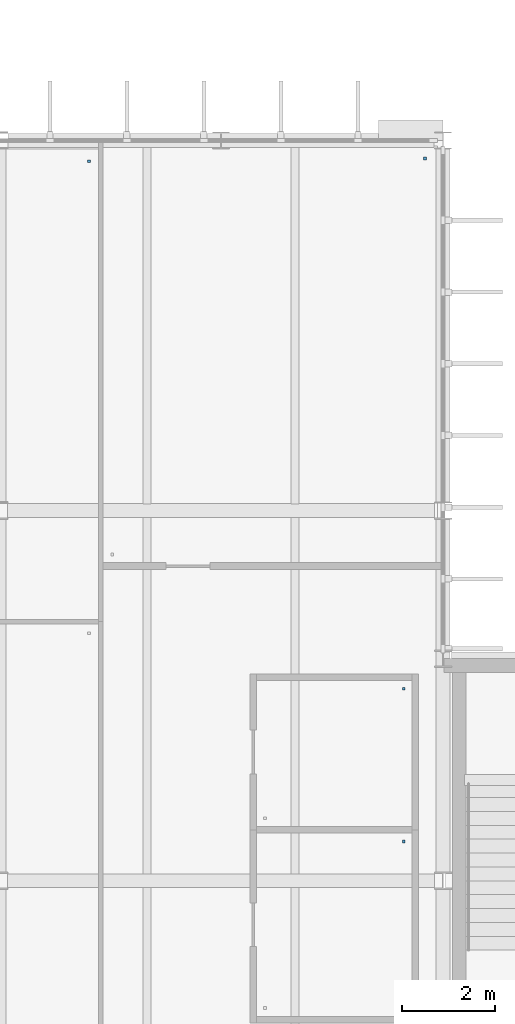
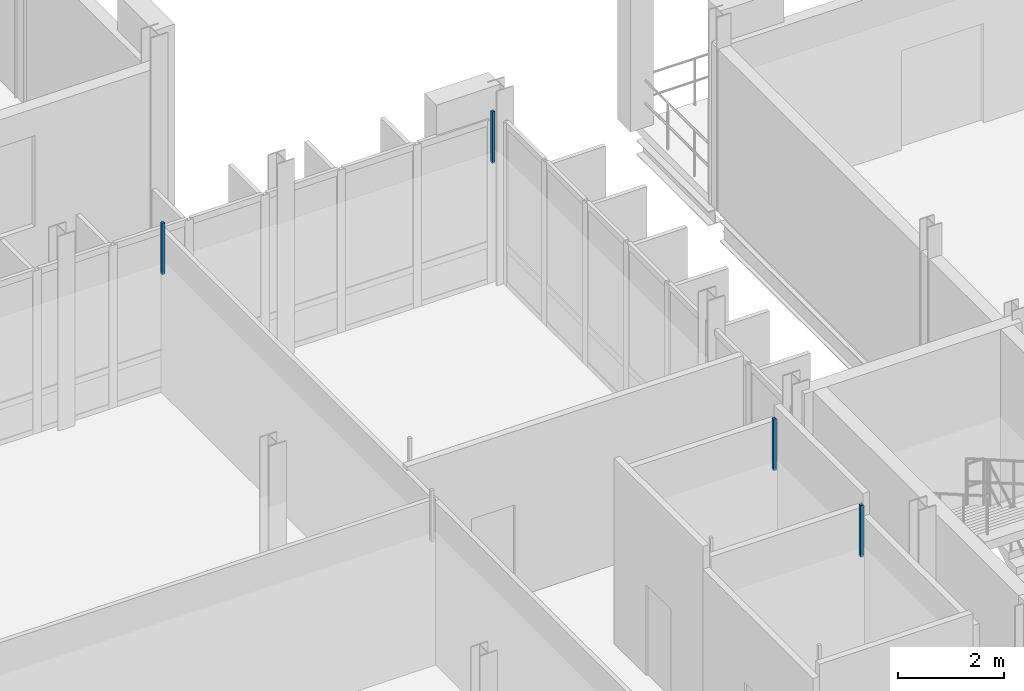
# One storey, part 73 of 107: 4 discrete accessories.
"""IFC4 building model written with IfcOpenShell, lengths in metres."""

import ifcopenshell
import ifcopenshell.guid

model = None  # the IFC model being written
_history = None  # IfcOwnerHistory: only IFC2X3 demands one
_inside = {}  # id of a spatial element -> (the spatial element, [elements in it])
_under = {}  # id of a project, library or spatial element -> (it, [spatial elements below it])
_declared = {}  # id of a project -> (the project, [libraries it declares])
_typed = {}  # id of a type object -> (the type object, [elements of that type])
_made_of = {}  # id of a material, layer set ... -> (it, [elements and type objects made of it])


def new_model(schema):
    """Start an empty IFC model of exactly this schema.

    Asked for "IFC4X3", IfcOpenShell would pick the latest addendum, in which some entities
    have other attributes; the version numbers below select the first issue.
    IFC2X3 requires an IfcOwnerHistory on every rooted entity: one is made here for all.
    """
    global model, _history
    if schema == "IFC4X3":
        model = ifcopenshell.file(schema_version=(4, 3, 0, 0))
    else:
        model = ifcopenshell.file(schema=schema)
    _inside.clear()
    _under.clear()
    _declared.clear()
    _typed.clear()
    _made_of.clear()
    _history = None
    if model.schema == "IFC2X3":
        org = make("IfcOrganization", Name="unknown")
        user = make(
            "IfcPersonAndOrganization",
            ThePerson=make("IfcPerson", FamilyName="unknown"),
            TheOrganization=org,
        )
        app = make(
            "IfcApplication",
            ApplicationDeveloper=org,
            Version="unknown",
            ApplicationFullName="unknown",
            ApplicationIdentifier="unknown",
        )
        _history = make(
            "IfcOwnerHistory",
            OwningUser=user,
            OwningApplication=app,
            ChangeAction="ADDED",
            CreationDate=0,
        )
    return model


def make(cls, **values):
    """One entity of the class cls with the attributes given. An attribute that is None is left unset."""
    return model.create_entity(
        cls, **{name: value for name, value in values.items() if value is not None}
    )


def rooted(cls, **values):
    """An entity with a GlobalId (a new one), such as an element, a storey or a relation."""
    return make(cls, GlobalId=ifcopenshell.guid.new(), OwnerHistory=_history, **values)


def si_unit(unit_type, name, prefix=None):
    """IfcSIUnit, for example si_unit("LENGTHUNIT", "METRE", prefix="MILLI")."""
    return make("IfcSIUnit", UnitType=unit_type, Prefix=prefix, Name=name)


def assignment(units):
    """IfcUnitAssignment: the units of a project."""
    return None if units is None else make("IfcUnitAssignment", Units=units)


def point(xyz):
    """IfcCartesianPoint."""
    return None if xyz is None else make("IfcCartesianPoint", Coordinates=xyz)


def direction(xyz):
    """IfcDirection."""
    return None if xyz is None else make("IfcDirection", DirectionRatios=xyz)


def frame(location, z_axis=None, x_axis=None):
    """IfcAxis2Placement3D, a coordinate frame: its origin and axes. An axis left out is left unset."""
    return make(
        "IfcAxis2Placement3D",
        Location=point(location),
        Axis=direction(z_axis),
        RefDirection=direction(x_axis),
    )


def origin():
    """The frame at (0, 0, 0) with its axes left unset."""
    return frame((0.0, 0.0, 0.0))


def place(relative_to, where):
    """IfcLocalPlacement: puts the frame where relative to a parent placement (None: the world)."""
    return make(
        "IfcLocalPlacement", PlacementRelTo=relative_to, RelativePlacement=where
    )


def context(
    kind, dimensions, precision=None, world=None, true_north=None, identifier=None
):
    """IfcGeometricRepresentationContext, for example the 3D "Model" context."""
    return make(
        "IfcGeometricRepresentationContext",
        ContextIdentifier=identifier,
        ContextType=kind,
        CoordinateSpaceDimension=dimensions,
        Precision=precision,
        WorldCoordinateSystem=world,
        TrueNorth=true_north,
    )


def subcontext(parent, identifier, kind, view, scale=None):
    """IfcGeometricRepresentationSubContext, for example "Body" below "Model"."""
    return make(
        "IfcGeometricRepresentationSubContext",
        ContextIdentifier=identifier,
        ContextType=kind,
        ParentContext=parent,
        TargetScale=scale,
        TargetView=view,
    )


def project(units=None, contexts=None):
    """IfcProject with its units and contexts."""
    return rooted(
        "IfcProject",
        Name="project",
        RepresentationContexts=contexts,
        UnitsInContext=assignment(units),
    )


def spatial(cls, under=None, at=None, **own):
    """A site, building, storey or space (cls), placed at a placement, below another one or the project."""
    s = rooted(cls, ObjectPlacement=at, **own)
    if under is not None:
        _under.setdefault(under.id(), (under, []))[1].append(s)
    return s


def polyline(points):
    """IfcPolyline through the points."""
    return make("IfcPolyline", Points=[point(p) for p in points])


def outline(outer, holes=None, kind="AREA"):
    """IfcArbitraryClosedProfileDef: a profile drawn as a closed curve; with holes, ...WithVoids."""
    if holes is None:
        return make("IfcArbitraryClosedProfileDef", ProfileType=kind, OuterCurve=outer)
    return make(
        "IfcArbitraryProfileDefWithVoids",
        ProfileType=kind,
        OuterCurve=outer,
        InnerCurves=holes,
    )


def extrude(swept, where, along, depth):
    """IfcExtrudedAreaSolid: the profile swept, set in the frame where, extruded along a direction by depth."""
    return make(
        "IfcExtrudedAreaSolid",
        SweptArea=swept,
        Position=where,
        ExtrudedDirection=direction(along),
        Depth=depth,
    )


def shape(context_of_items, identifier, shape_type, items):
    """IfcShapeRepresentation: the items that make up one representation, for example the "Body"."""
    return make(
        "IfcShapeRepresentation",
        ContextOfItems=context_of_items,
        RepresentationIdentifier=identifier,
        RepresentationType=shape_type,
        Items=items,
    )


def material(Name=None, Category=None):
    """IfcMaterial."""
    return make("IfcMaterial", Name=Name, Category=Category)


def made_of(thing, what):
    """Note that an element or type object is made of a material, layer set ...; save() writes the relation."""
    if what is not None:
        _made_of.setdefault(what.id(), (what, []))[1].append(thing)
    return thing


def type_object(cls, material=None, **own):
    """A type object (cls), such as IfcWallType, which elements share."""
    return made_of(rooted(cls, **own), material)


def element(
    cls,
    number,
    at=None,
    inside=None,
    cuts=None,
    type_object=None,
    material=None,
    context=None,
    identifier="Body",
    shape_type=None,
    held_by="IfcProductDefinitionShape",
    body=None,
    shapes=None,
    **own,
):
    """One element of the class cls, such as IfcWall. Its Tag is "e" and its number.

    at: its placement. inside: the storey or other place that contains it. cuts: it is an
    opening in that element (IfcRelVoidsElement). A single representation is given by context,
    identifier, shape_type and body (its items); several are given by shapes. held_by: the class
    of the entity that holds the representations. save() writes the other relations.
    """
    e = rooted(cls, Tag="e%d" % number, ObjectPlacement=at, **own)
    if body is not None:
        shapes = [shape(context, identifier, shape_type, body)]
    if shapes is not None:
        e.Representation = make(held_by, Representations=shapes)
    if inside is not None:
        _inside.setdefault(inside.id(), (inside, []))[1].append(e)
    if cuts is not None:
        rooted(
            "IfcRelVoidsElement", RelatingBuildingElement=cuts, RelatedOpeningElement=e
        )
    if type_object is not None:
        _typed.setdefault(type_object.id(), (type_object, []))[1].append(e)
    return made_of(e, material)


def aggregate(whole, parts):
    """IfcRelAggregates: a whole, such as a stair, and the parts it consists of."""
    return rooted("IfcRelAggregates", RelatingObject=whole, RelatedObjects=parts)


def save(model, path):
    """Write the relations noted so far, then the file.

    IfcRelAggregates (storeys below a building ...), IfcRelContainedInSpatialStructure (elements
    in a storey), IfcRelDefinesByType, IfcRelAssociatesMaterial and IfcRelDeclares: one each for
    every whole, place, type object, material and project.
    """
    for whole, parts in _under.values():
        aggregate(whole, parts)
    for where, things in _inside.values():
        rooted(
            "IfcRelContainedInSpatialStructure",
            RelatedElements=things,
            RelatingStructure=where,
        )
    for kind, things in _typed.values():
        rooted("IfcRelDefinesByType", RelatedObjects=things, RelatingType=kind)
    for what, things in _made_of.values():
        rooted("IfcRelAssociatesMaterial", RelatedObjects=things, RelatingMaterial=what)
    for by, libraries in _declared.values():
        rooted("IfcRelDeclares", RelatingContext=by, RelatedDefinitions=libraries)
    model.write(path)


model = new_model("IFC4")

# Units and contexts
model_context = context("Model", 3, precision=1e-05, world=origin(), true_north=direction((0.0, 1.0)))
body_context = subcontext(model_context, "Body", "Model", "MODEL_VIEW")
ifc_project = project(units=[si_unit("LENGTHUNIT", "METRE"), si_unit("AREAUNIT", "SQUARE_METRE"), si_unit("VOLUMEUNIT", "CUBIC_METRE"), si_unit("PLANEANGLEUNIT", "RADIAN"), si_unit("MASSUNIT", "GRAM", prefix="KILO")], contexts=[model_context])

# Site, building, storey
site_placement = place(None, origin())
site = spatial("IfcSite", under=ifc_project, at=site_placement, CompositionType="ELEMENT")
building_placement = place(site_placement, origin())
building = spatial("IfcBuilding", under=site, at=building_placement, Name="Dunescarp Central Library", CompositionType="ELEMENT")
storey_placement = place(building_placement, frame((0.0, 0.0, 5.10009765625)))
storey = spatial("IfcBuildingStorey", under=building, at=storey_placement, Name="L01", CompositionType="ELEMENT", Elevation=5.10009765625)

# Discrete accessories
ifc_material = material(Name="Stainless steel Grade 316L", Category="steel")
discrete_accessory_type = type_object("IfcDiscreteAccessoryType", Name="ARC-ACC-BRK", PredefinedType="BRACKET", material=ifc_material)
discrete_accessory_1_placement = place(storey_placement, frame((0.0, 0.0, 3.059814453125)))
element("IfcDiscreteAccessory", 1, at=discrete_accessory_1_placement, inside=storey, type_object=discrete_accessory_type, Name="L01 ceiling hanger CLG-L01-007-H2", PredefinedType="BRACKET", context=body_context, shape_type="SweptSolid", body=[
    extrude(outline(polyline([(32.719970703125, 21.6201171875), (32.780029296875, 21.6201171875), (32.780029296875, 21.679931640625), (32.719970703125, 21.679931640625), (32.719970703125, 21.6201171875)])), origin(), (0.0, 0.0, 1.0), 1.190185546875),
])
discrete_accessory_2_placement = place(storey_placement, frame((0.0, 0.0, 3.059814453125)))
element("IfcDiscreteAccessory", 2, at=discrete_accessory_2_placement, inside=storey, type_object=discrete_accessory_type, Name="L01 ceiling hanger CLG-L01-008-H2", PredefinedType="BRACKET", context=body_context, shape_type="SweptSolid", body=[
    extrude(outline(polyline([(32.719970703125, 24.919921875), (32.780029296875, 24.919921875), (32.780029296875, 24.97998046875), (32.719970703125, 24.97998046875), (32.719970703125, 24.919921875)])), origin(), (0.0, 0.0, 1.0), 1.190185546875),
])
discrete_accessory_3_placement = place(storey_placement, frame((0.0, 0.0, 3.059814453125)))
element("IfcDiscreteAccessory", 3, at=discrete_accessory_3_placement, inside=storey, type_object=discrete_accessory_type, Name="L01 ceiling hanger CLG-L01-013-H2", PredefinedType="BRACKET", context=body_context, shape_type="SweptSolid", body=[
    extrude(outline(polyline([(25.919921875, 36.320068359375), (25.97998046875, 36.320068359375), (25.97998046875, 36.3798828125), (25.919921875, 36.3798828125), (25.919921875, 36.320068359375)])), origin(), (0.0, 0.0, 1.0), 1.190185546875),
])
discrete_accessory_4_placement = place(storey_placement, frame((0.0, 0.0, 3.059814453125)))
element("IfcDiscreteAccessory", 4, at=discrete_accessory_4_placement, inside=storey, type_object=discrete_accessory_type, Name="L01 ceiling hanger CLG-L01-014-H2", PredefinedType="BRACKET", context=body_context, shape_type="SweptSolid", body=[
    extrude(outline(polyline([(33.179931640625, 36.3798828125), (33.239990234375, 36.3798828125), (33.239990234375, 36.43994140625), (33.179931640625, 36.43994140625), (33.179931640625, 36.3798828125)])), origin(), (0.0, 0.0, 1.0), 1.190185546875),
])

save(model, "model.ifc")
